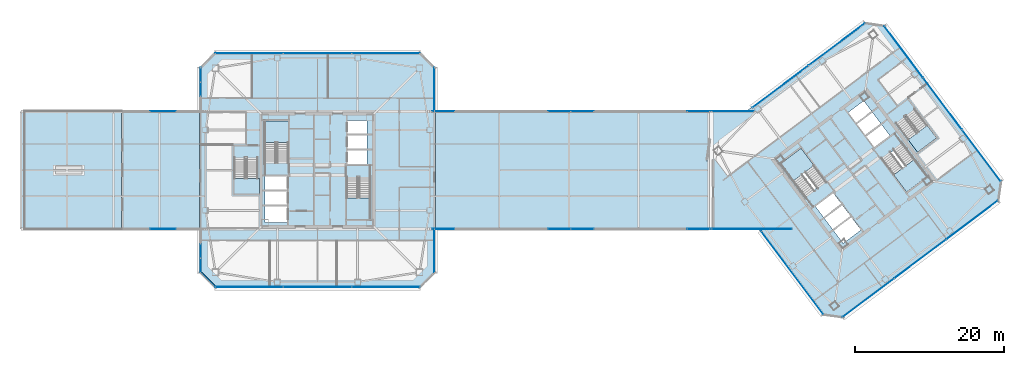
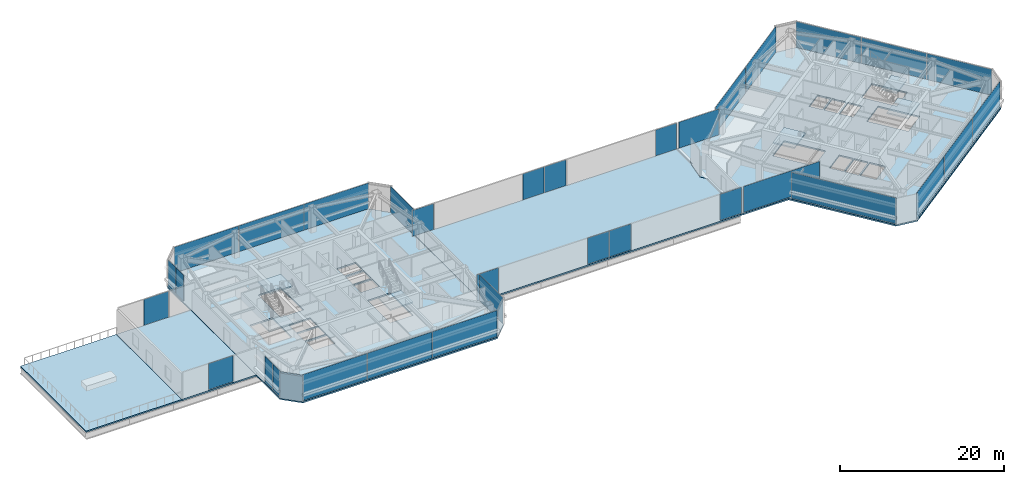
# One storey, part 38 of 51: 33 plates, 11 slabs, 1 wall, 26 elements without a shape of their own.
"""IFC4 building model written with IfcOpenShell, lengths in metres."""

from ifc_helpers import new_model, si_unit, direction, frame, frame_2d, origin, origin_2d, place, context, subcontext, project, spatial, polyline, rectangle, outline, extrude, material, layer, layer_set, type_object, element, aggregate, save


model = new_model("IFC4")

# Units and contexts
model_context = context("Model", 3, precision=1e-05, world=origin(), true_north=direction((0.0, 1.0)))
body_context = subcontext(model_context, "Body", "Model", "MODEL_VIEW")
ifc_project = project(units=[si_unit("LENGTHUNIT", "METRE"), si_unit("AREAUNIT", "SQUARE_METRE"), si_unit("VOLUMEUNIT", "CUBIC_METRE"), si_unit("PLANEANGLEUNIT", "RADIAN"), si_unit("MASSUNIT", "GRAM", prefix="KILO")], contexts=[model_context])

# Site, building, storey
site_placement = place(None, origin())
site = spatial("IfcSite", under=ifc_project, at=site_placement, CompositionType="ELEMENT")
building_placement = place(site_placement, origin())
building = spatial("IfcBuilding", under=site, at=building_placement, Name="Tashvorn Skyway Center", CompositionType="ELEMENT")
storey_placement = place(building_placement, frame((0.0, 0.0, 251.39990234375)))
storey = spatial("IfcBuildingStorey", under=building, at=storey_placement, Name="L68", CompositionType="ELEMENT", Elevation=251.39990234375)

# Curtain wall, plates
ifc_material_1 = material(Name="Thermally broken bronze-anodized aluminium 6063-T6", Category="aluminium")
curtain_wall_type = type_object("IfcCurtainWallType", Name="CW-CW-SKY", PredefinedType="NOTDEFINED", material=ifc_material_1)
curtain_wall_1_placement = place(storey_placement, origin())
curtain_wall_1 = element("IfcCurtainWall", 1, at=curtain_wall_1_placement, inside=storey, type_object=curtain_wall_type, Name="Tower 1 L68 South Unitised Curtain Wall", PredefinedType="NOTDEFINED")
ifc_material_2 = material(Name="Low-E solar-control double insulating safety glass", Category="glass")
ifc_layer_1 = layer(ifc_material_2, 0.028076171875)
ifc_layer_set_1 = layer_set([ifc_layer_1], Name="Low-E solar-control double insulating safety glass")
plate_type = type_object("IfcPlateType", Name="CWP-CW-SKY", PredefinedType="CURTAIN_PANEL", material=ifc_layer_set_1)
plate_1_placement = place(storey_placement, frame((51.17041015625, 16.320068359375, 0.06494140625), z_axis=(0.0, 0.0, 1.0), x_axis=(-1.0, 0.0, 0.0)))
plate_1 = element("IfcPlate", 2, at=plate_1_placement, type_object=plate_type, Name="CW-SKY panel 1.1", PredefinedType="CURTAIN_PANEL", context=body_context, shape_type="SweptSolid", body=[
    extrude(rectangle(XDim=9.089111328125, YDim=0.028076171875, at=origin_2d()), origin(), (0.0, 0.0, 1.0), 3.8701171875),
])
plate_2_placement = place(storey_placement, frame((42.0, 16.320068359375, 0.06494140625), z_axis=(0.0, 0.0, 1.0), x_axis=(-1.0, 0.0, 0.0)))
plate_2 = element("IfcPlate", 3, at=plate_2_placement, type_object=plate_type, Name="CW-SKY panel 2.1", PredefinedType="CURTAIN_PANEL", context=body_context, shape_type="SweptSolid", body=[
    extrude(rectangle(XDim=9.12158203125, YDim=0.028076171875, at=origin_2d()), origin(), (0.0, 0.0, 1.0), 3.8701171875),
])
plate_3_placement = place(storey_placement, frame((32.82958984375, 16.320068359375, 0.06494140625), z_axis=(0.0, 0.0, 1.0), x_axis=(-1.0, 0.0, 0.0)))
plate_3 = element("IfcPlate", 4, at=plate_3_placement, type_object=plate_type, Name="CW-SKY panel 3.1", PredefinedType="CURTAIN_PANEL", context=body_context, shape_type="SweptSolid", body=[
    extrude(rectangle(XDim=9.089111328125, YDim=0.028076171875, at=origin_2d()), origin(), (0.0, 0.0, 1.0), 3.8701171875),
])
aggregate(curtain_wall_1, [plate_1, plate_2, plate_3])

curtain_wall_2_placement = place(storey_placement, origin())
curtain_wall_2 = element("IfcCurtainWall", 5, at=curtain_wall_2_placement, inside=storey, type_object=curtain_wall_type, Name="Tower 1 L68 West Curtain Wall A Glazing Group 1", PredefinedType="NOTDEFINED")
plate_4_placement = place(storey_placement, frame((26.320068359375, 19.21630859375, 0.06494140625), z_axis=(0.0, 0.0, 1.0), x_axis=(0.0, 1.0, 0.0)))
plate_4 = element("IfcPlate", 6, at=plate_4_placement, type_object=plate_type, Name="CW-SKY panel 1.1", PredefinedType="CURTAIN_PANEL", context=body_context, shape_type="SweptSolid", body=[
    extrude(rectangle(XDim=1.862548828125, YDim=0.028076171875, at=origin_2d()), origin(), (0.0, 0.0, 1.0), 3.8701171875),
])
plate_5_placement = place(storey_placement, frame((26.320068359375, 21.143798828125, 0.06494140625), z_axis=(0.0, 0.0, 1.0), x_axis=(0.0, 1.0, 0.0)))
plate_5 = element("IfcPlate", 7, at=plate_5_placement, type_object=plate_type, Name="CW-SKY panel 2.1", PredefinedType="CURTAIN_PANEL", context=body_context, shape_type="SweptSolid", body=[
    extrude(rectangle(XDim=1.862548828125, YDim=0.028076171875, at=origin_2d()), origin(), (0.0, 0.0, 1.0), 3.8701171875),
])
aggregate(curtain_wall_2, [plate_4, plate_5])

curtain_wall_3_placement = place(storey_placement, origin())
curtain_wall_3 = element("IfcCurtainWall", 8, at=curtain_wall_3_placement, inside=storey, type_object=curtain_wall_type, Name="Tower 1 L68 West Curtain Wall B Glazing Group 1", PredefinedType="NOTDEFINED")
plate_6_placement = place(storey_placement, frame((26.320068359375, 42.856201171875, 0.06494140625), z_axis=(0.0, 0.0, 1.0), x_axis=(0.0, 1.0, 0.0)))
plate_6 = element("IfcPlate", 9, at=plate_6_placement, type_object=plate_type, Name="CW-SKY panel 1.1", PredefinedType="CURTAIN_PANEL", context=body_context, shape_type="SweptSolid", body=[
    extrude(rectangle(XDim=1.862548828125, YDim=0.028076171875, at=origin_2d()), origin(), (0.0, 0.0, 1.0), 3.8701171875),
])
plate_7_placement = place(storey_placement, frame((26.320068359375, 44.78369140625, 0.06494140625), z_axis=(0.0, 0.0, 1.0), x_axis=(0.0, 1.0, 0.0)))
plate_7 = element("IfcPlate", 10, at=plate_7_placement, type_object=plate_type, Name="CW-SKY panel 2.1", PredefinedType="CURTAIN_PANEL", context=body_context, shape_type="SweptSolid", body=[
    extrude(rectangle(XDim=1.862548828125, YDim=0.028076171875, at=origin_2d()), origin(), (0.0, 0.0, 1.0), 3.8701171875),
])
aggregate(curtain_wall_3, [plate_6, plate_7])

curtain_wall_4_placement = place(storey_placement, origin())
curtain_wall_4 = element("IfcCurtainWall", 11, at=curtain_wall_4_placement, inside=storey, type_object=curtain_wall_type, Name="Tower 1 L68 North Unitised Curtain Wall", PredefinedType="NOTDEFINED")
plate_8_placement = place(storey_placement, frame((32.82958984375, 47.679931640625, 0.06494140625), z_axis=(0.0, 0.0, 1.0), x_axis=(1.0, 0.0, 0.0)))
plate_8 = element("IfcPlate", 12, at=plate_8_placement, type_object=plate_type, Name="CW-SKY panel 1.1", PredefinedType="CURTAIN_PANEL", context=body_context, shape_type="SweptSolid", body=[
    extrude(rectangle(XDim=9.089111328125, YDim=0.028076171875, at=origin_2d()), origin(), (0.0, 0.0, 1.0), 3.8701171875),
])
plate_9_placement = place(storey_placement, frame((42.0, 47.679931640625, 0.06494140625), z_axis=(0.0, 0.0, 1.0), x_axis=(1.0, 0.0, 0.0)))
plate_9 = element("IfcPlate", 13, at=plate_9_placement, type_object=plate_type, Name="CW-SKY panel 2.1", PredefinedType="CURTAIN_PANEL", context=body_context, shape_type="SweptSolid", body=[
    extrude(rectangle(XDim=9.12158203125, YDim=0.028076171875, at=origin_2d()), origin(), (0.0, 0.0, 1.0), 3.8701171875),
])
plate_10_placement = place(storey_placement, frame((51.17041015625, 47.679931640625, 0.06494140625), z_axis=(0.0, 0.0, 1.0), x_axis=(1.0, 0.0, 0.0)))
plate_10 = element("IfcPlate", 14, at=plate_10_placement, type_object=plate_type, Name="CW-SKY panel 3.1", PredefinedType="CURTAIN_PANEL", context=body_context, shape_type="SweptSolid", body=[
    extrude(rectangle(XDim=9.089111328125, YDim=0.028076171875, at=origin_2d()), origin(), (0.0, 0.0, 1.0), 3.8701171875),
])
aggregate(curtain_wall_4, [plate_8, plate_9, plate_10])

# Curtain wall, plate
curtain_wall_5_placement = place(storey_placement, origin())
curtain_wall_5 = element("IfcCurtainWall", 15, at=curtain_wall_5_placement, inside=storey, type_object=curtain_wall_type, Name="Tower 1 L68 East Curtain Wall A", PredefinedType="NOTDEFINED")
plate_11_placement = place(storey_placement, frame((57.679931640625, 42.840087890625, 0.06494140625), z_axis=(0.0, 0.0, 1.0), x_axis=(0.0, -1.0, 0.0)))
plate_11 = element("IfcPlate", 16, at=plate_11_placement, type_object=plate_type, Name="CW-SKY panel 1.1", PredefinedType="CURTAIN_PANEL", context=body_context, shape_type="SweptSolid", body=[
    extrude(rectangle(XDim=5.75, YDim=0.028076171875, at=origin_2d()), origin(), (0.0, 0.0, 1.0), 3.8701171875),
])
aggregate(curtain_wall_5, [plate_11])

curtain_wall_6_placement = place(storey_placement, origin())
curtain_wall_6 = element("IfcCurtainWall", 17, at=curtain_wall_6_placement, inside=storey, type_object=curtain_wall_type, Name="Tower 1 L68 East Curtain Wall B", PredefinedType="NOTDEFINED")
plate_12_placement = place(storey_placement, frame((57.679931640625, 21.159912109375, 0.06494140625), z_axis=(0.0, 0.0, 1.0), x_axis=(0.0, -1.0, 0.0)))
plate_12 = element("IfcPlate", 18, at=plate_12_placement, type_object=plate_type, Name="CW-SKY panel 1.1", PredefinedType="CURTAIN_PANEL", context=body_context, shape_type="SweptSolid", body=[
    extrude(rectangle(XDim=5.75, YDim=0.028076171875, at=origin_2d()), origin(), (0.0, 0.0, 1.0), 3.8701171875),
])
aggregate(curtain_wall_6, [plate_12])

# Curtain wall, plates
curtain_wall_7_placement = place(storey_placement, origin())
curtain_wall_7 = element("IfcCurtainWall", 19, at=curtain_wall_7_placement, inside=storey, type_object=curtain_wall_type, Name="Tower 2 L68 South Unitised Curtain Wall", PredefinedType="NOTDEFINED")
plate_13_placement = place(storey_placement, frame((129.89111328125, 25.318359375, 0.06494140625), z_axis=(0.0, 0.0, 1.0), x_axis=(-0.799999999998, -0.600000000002, 0.0)))
plate_13 = element("IfcPlate", 20, at=plate_13_placement, type_object=plate_type, Name="CW-SKY panel 1.1", PredefinedType="CURTAIN_PANEL", context=body_context, shape_type="SweptSolid", body=[
    extrude(rectangle(XDim=8.62255859375, YDim=0.028076171875, at=origin_2d()), origin(), (0.0, 0.0, 1.0), 3.8701171875),
])
plate_14_placement = place(storey_placement, frame((122.927978515625, 20.095947265625, 0.06494140625), z_axis=(0.0, 0.0, 1.0), x_axis=(-0.799999999998, -0.600000000002, 0.0)))
plate_14 = element("IfcPlate", 21, at=plate_14_placement, type_object=plate_type, Name="CW-SKY panel 2.1", PredefinedType="CURTAIN_PANEL", context=body_context, shape_type="SweptSolid", body=[
    extrude(rectangle(XDim=8.655029296875, YDim=0.028076171875, at=origin_2d()), origin(), (0.0, 0.0, 1.0), 3.8701171875),
])
plate_15_placement = place(storey_placement, frame((115.965087890625, 14.873779296875, 0.06494140625), z_axis=(0.0, 0.0, 1.0), x_axis=(-0.799999999998, -0.600000000002, 0.0)))
plate_15 = element("IfcPlate", 22, at=plate_15_placement, type_object=plate_type, Name="CW-SKY panel 3.1", PredefinedType="CURTAIN_PANEL", context=body_context, shape_type="SweptSolid", body=[
    extrude(rectangle(XDim=8.62255859375, YDim=0.028076171875, at=origin_2d()), origin(), (0.0, 0.0, 1.0), 3.8701171875),
])
aggregate(curtain_wall_7, [plate_13, plate_14, plate_15])

# Curtain wall, plate
curtain_wall_8_placement = place(storey_placement, origin())
curtain_wall_8 = element("IfcCurtainWall", 23, at=curtain_wall_8_placement, inside=storey, type_object=curtain_wall_type, Name="Tower 2 L68 West Curtain Wall A", PredefinedType="NOTDEFINED")
plate_16_placement = place(storey_placement, frame((105.735107421875, 18.219970703125, 0.06494140625), z_axis=(0.0, 0.0, 1.0), x_axis=(-0.600000000002, 0.799999999998, 0.0)))
plate_16 = element("IfcPlate", 24, at=plate_16_placement, type_object=plate_type, Name="CW-SKY panel 1.1", PredefinedType="CURTAIN_PANEL", context=body_context, shape_type="SweptSolid", body=[
    extrude(rectangle(XDim=13.89990234375, YDim=0.028076171875, at=origin_2d()), origin(), (0.0, 0.0, 1.0), 3.8701171875),
])
aggregate(curtain_wall_8, [plate_16])

# Curtain wall, plates
curtain_wall_9_placement = place(storey_placement, origin())
curtain_wall_9 = element("IfcCurtainWall", 25, at=curtain_wall_9_placement, inside=storey, type_object=curtain_wall_type, Name="Tower 2 L68 North Curtain Wall B", PredefinedType="NOTDEFINED")
plate_17_placement = place(storey_placement, frame((104.131103515625, 43.1982421875, 0.06494140625), z_axis=(0.0, 0.0, 1.0), x_axis=(0.799999999998, 0.600000000002, 0.0)))
plate_17 = element("IfcPlate", 26, at=plate_17_placement, type_object=plate_type, Name="CW-SKY panel 1.1", PredefinedType="CURTAIN_PANEL", context=body_context, shape_type="SweptSolid", body=[
    extrude(rectangle(XDim=9.41748046875, YDim=0.028076171875, at=origin_2d()), origin(), (0.0, 0.0, 1.0), 3.8701171875),
])
plate_18_placement = place(storey_placement, frame((111.717041015625, 48.8876953125, 0.06494140625), z_axis=(0.0, 0.0, 1.0), x_axis=(0.799999999998, 0.600000000002, 0.0)))
plate_18 = element("IfcPlate", 27, at=plate_18_placement, type_object=plate_type, Name="CW-SKY panel 2.1", PredefinedType="CURTAIN_PANEL", context=body_context, shape_type="SweptSolid", body=[
    extrude(rectangle(XDim=9.41748046875, YDim=0.028076171875, at=origin_2d()), origin(), (0.0, 0.0, 1.0), 3.8701171875),
])
aggregate(curtain_wall_9, [plate_17, plate_18])

curtain_wall_10_placement = place(storey_placement, origin())
curtain_wall_10 = element("IfcCurtainWall", 28, at=curtain_wall_10_placement, inside=storey, type_object=curtain_wall_type, Name="Tower 2 L68 East Unitised Curtain Wall", PredefinedType="NOTDEFINED")
plate_19_placement = place(storey_placement, frame((120.681640625, 47.89111328125, 0.06494140625), z_axis=(0.0, 0.0, 1.0), x_axis=(0.600000000002, -0.799999999998, 0.0)))
plate_19 = element("IfcPlate", 29, at=plate_19_placement, type_object=plate_type, Name="CW-SKY panel 1.1", PredefinedType="CURTAIN_PANEL", context=body_context, shape_type="SweptSolid", body=[
    extrude(rectangle(XDim=8.62255859375, YDim=0.028076171875, at=origin_2d()), origin(), (0.0, 0.0, 1.0), 3.8701171875),
])
plate_20_placement = place(storey_placement, frame((125.904052734375, 40.927978515625, 0.06494140625), z_axis=(0.0, 0.0, 1.0), x_axis=(0.600000000002, -0.799999999998, 0.0)))
plate_20 = element("IfcPlate", 30, at=plate_20_placement, type_object=plate_type, Name="CW-SKY panel 2.1", PredefinedType="CURTAIN_PANEL", context=body_context, shape_type="SweptSolid", body=[
    extrude(rectangle(XDim=8.655029296875, YDim=0.028076171875, at=origin_2d()), origin(), (0.0, 0.0, 1.0), 3.8701171875),
])
plate_21_placement = place(storey_placement, frame((131.126220703125, 33.965087890625, 0.06494140625), z_axis=(0.0, 0.0, 1.0), x_axis=(0.600000000002, -0.799999999998, 0.0)))
plate_21 = element("IfcPlate", 31, at=plate_21_placement, type_object=plate_type, Name="CW-SKY panel 3.1", PredefinedType="CURTAIN_PANEL", context=body_context, shape_type="SweptSolid", body=[
    extrude(rectangle(XDim=8.62255859375, YDim=0.028076171875, at=origin_2d()), origin(), (0.0, 0.0, 1.0), 3.8701171875),
])
aggregate(curtain_wall_10, [plate_19, plate_20, plate_21])

# Curtain wall, plate
curtain_wall_11_placement = place(storey_placement, origin())
curtain_wall_11 = element("IfcCurtainWall", 32, at=curtain_wall_11_placement, inside=storey, type_object=curtain_wall_type, Name="Sky-Park L68 Bridge South Curtain Wall Glazing Group 1", PredefinedType="NOTDEFINED")
plate_22_placement = place(storey_placement, frame((93.142578125, 24.10009765625, 0.06494140625), z_axis=(0.0, 0.0, 1.0), x_axis=(-1.0, 0.0, 0.0)))
plate_22 = element("IfcPlate", 33, at=plate_22_placement, type_object=plate_type, Name="CW-SKY panel 1.1", PredefinedType="CURTAIN_PANEL", context=body_context, shape_type="SweptSolid", body=[
    extrude(rectangle(XDim=2.985107421875, YDim=0.028076171875, at=origin_2d()), origin(), (0.0, 0.0, 1.0), 3.8701171875),
])
aggregate(curtain_wall_11, [plate_22])

# Curtain wall, plates
curtain_wall_12_placement = place(storey_placement, origin())
curtain_wall_12 = element("IfcCurtainWall", 34, at=curtain_wall_12_placement, inside=storey, type_object=curtain_wall_type, Name="Sky-Park L68 Bridge South Curtain Wall Glazing Group 2", PredefinedType="NOTDEFINED")
plate_23_placement = place(storey_placement, frame((77.55126953125, 24.10009765625, 0.06494140625), z_axis=(0.0, 0.0, 1.0), x_axis=(-1.0, 0.0, 0.0)))
plate_23 = element("IfcPlate", 35, at=plate_23_placement, type_object=plate_type, Name="CW-SKY panel 1.1", PredefinedType="CURTAIN_PANEL", context=body_context, shape_type="SweptSolid", body=[
    extrude(rectangle(XDim=3.017578125, YDim=0.028076171875, at=origin_2d()), origin(), (0.0, 0.0, 1.0), 3.8701171875),
])
plate_24_placement = place(storey_placement, frame((74.46875, 24.10009765625, 0.06494140625), z_axis=(0.0, 0.0, 1.0), x_axis=(-1.0, 0.0, 0.0)))
plate_24 = element("IfcPlate", 36, at=plate_24_placement, type_object=plate_type, Name="CW-SKY panel 2.1", PredefinedType="CURTAIN_PANEL", context=body_context, shape_type="SweptSolid", body=[
    extrude(rectangle(XDim=3.017578125, YDim=0.028076171875, at=origin_2d()), origin(), (0.0, 0.0, 1.0), 3.8701171875),
])
aggregate(curtain_wall_12, [plate_23, plate_24])

# Curtain wall, plate
curtain_wall_13_placement = place(storey_placement, origin())
curtain_wall_13 = element("IfcCurtainWall", 37, at=curtain_wall_13_placement, inside=storey, type_object=curtain_wall_type, Name="Sky-Park L68 Bridge South Curtain Wall Glazing Group 3", PredefinedType="NOTDEFINED")
plate_25_placement = place(storey_placement, frame((58.87744140625, 24.10009765625, 0.06494140625), z_axis=(0.0, 0.0, 1.0), x_axis=(-1.0, 0.0, 0.0)))
plate_25 = element("IfcPlate", 38, at=plate_25_placement, type_object=plate_type, Name="CW-SKY panel 1.1", PredefinedType="CURTAIN_PANEL", context=body_context, shape_type="SweptSolid", body=[
    extrude(rectangle(XDim=2.985107421875, YDim=0.028076171875, at=origin_2d()), origin(), (0.0, 0.0, 1.0), 3.8701171875),
])
aggregate(curtain_wall_13, [plate_25])

curtain_wall_14_placement = place(storey_placement, origin())
curtain_wall_14 = element("IfcCurtainWall", 39, at=curtain_wall_14_placement, inside=storey, type_object=curtain_wall_type, Name="Sky-Park L68 Bridge North Curtain Wall Glazing Group 1", PredefinedType="NOTDEFINED")
plate_26_placement = place(storey_placement, frame((58.87744140625, 39.89990234375, 0.06494140625), z_axis=(0.0, 0.0, 1.0), x_axis=(1.0, 0.0, 0.0)))
plate_26 = element("IfcPlate", 40, at=plate_26_placement, type_object=plate_type, Name="CW-SKY panel 1.1", PredefinedType="CURTAIN_PANEL", context=body_context, shape_type="SweptSolid", body=[
    extrude(rectangle(XDim=2.985107421875, YDim=0.028076171875, at=origin_2d()), origin(), (0.0, 0.0, 1.0), 3.8701171875),
])
aggregate(curtain_wall_14, [plate_26])

# Curtain wall, plates
curtain_wall_15_placement = place(storey_placement, origin())
curtain_wall_15 = element("IfcCurtainWall", 41, at=curtain_wall_15_placement, inside=storey, type_object=curtain_wall_type, Name="Sky-Park L68 Bridge North Curtain Wall Glazing Group 2", PredefinedType="NOTDEFINED")
plate_27_placement = place(storey_placement, frame((74.46875, 39.89990234375, 0.06494140625), z_axis=(0.0, 0.0, 1.0), x_axis=(1.0, 0.0, 0.0)))
plate_27 = element("IfcPlate", 42, at=plate_27_placement, type_object=plate_type, Name="CW-SKY panel 1.1", PredefinedType="CURTAIN_PANEL", context=body_context, shape_type="SweptSolid", body=[
    extrude(rectangle(XDim=3.017578125, YDim=0.028076171875, at=origin_2d()), origin(), (0.0, 0.0, 1.0), 3.8701171875),
])
plate_28_placement = place(storey_placement, frame((77.55126953125, 39.89990234375, 0.06494140625), z_axis=(0.0, 0.0, 1.0), x_axis=(1.0, 0.0, 0.0)))
plate_28 = element("IfcPlate", 43, at=plate_28_placement, type_object=plate_type, Name="CW-SKY panel 2.1", PredefinedType="CURTAIN_PANEL", context=body_context, shape_type="SweptSolid", body=[
    extrude(rectangle(XDim=3.017578125, YDim=0.028076171875, at=origin_2d()), origin(), (0.0, 0.0, 1.0), 3.8701171875),
])
aggregate(curtain_wall_15, [plate_27, plate_28])

# Curtain wall, plate
curtain_wall_16_placement = place(storey_placement, origin())
curtain_wall_16 = element("IfcCurtainWall", 44, at=curtain_wall_16_placement, inside=storey, type_object=curtain_wall_type, Name="Sky-Park L68 Bridge North Curtain Wall Glazing Group 3", PredefinedType="NOTDEFINED")
plate_29_placement = place(storey_placement, frame((93.142578125, 39.89990234375, 0.06494140625), z_axis=(0.0, 0.0, 1.0), x_axis=(1.0, 0.0, 0.0)))
plate_29 = element("IfcPlate", 45, at=plate_29_placement, type_object=plate_type, Name="CW-SKY panel 1.1", PredefinedType="CURTAIN_PANEL", context=body_context, shape_type="SweptSolid", body=[
    extrude(rectangle(XDim=2.985107421875, YDim=0.028076171875, at=origin_2d()), origin(), (0.0, 0.0, 1.0), 3.8701171875),
])
aggregate(curtain_wall_16, [plate_29])

curtain_wall_17_placement = place(storey_placement, origin())
curtain_wall_17 = element("IfcCurtainWall", 46, at=curtain_wall_17_placement, inside=storey, type_object=curtain_wall_type, Name="Tower 2 L68 Vestibule South Curtain Wall", PredefinedType="NOTDEFINED")
plate_30_placement = place(storey_placement, frame((100.31494140625, 24.10009765625, 0.06494140625), z_axis=(0.0, 0.0, 1.0), x_axis=(-1.0, 0.0, 0.0)))
plate_30 = element("IfcPlate", 47, at=plate_30_placement, type_object=plate_type, Name="CW-SKY panel 1.1", PredefinedType="CURTAIN_PANEL", context=body_context, shape_type="SweptSolid", body=[
    extrude(rectangle(XDim=10.739990234375, YDim=0.028076171875, at=origin_2d()), origin(), (0.0, 0.0, 1.0), 3.8701171875),
])
aggregate(curtain_wall_17, [plate_30])

curtain_wall_18_placement = place(storey_placement, origin())
curtain_wall_18 = element("IfcCurtainWall", 48, at=curtain_wall_18_placement, inside=storey, type_object=curtain_wall_type, Name="Tower 2 L68 Vestibule North Curtain Wall", PredefinedType="NOTDEFINED")
plate_31_placement = place(storey_placement, frame((97.764892578125, 39.89990234375, 0.06494140625), z_axis=(0.0, 0.0, 1.0), x_axis=(1.0, 0.0, 0.0)))
plate_31 = element("IfcPlate", 49, at=plate_31_placement, type_object=plate_type, Name="CW-SKY panel 1.1", PredefinedType="CURTAIN_PANEL", context=body_context, shape_type="SweptSolid", body=[
    extrude(rectangle(XDim=5.639892578125, YDim=0.028076171875, at=origin_2d()), origin(), (0.0, 0.0, 1.0), 3.8701171875),
])
aggregate(curtain_wall_18, [plate_31])

curtain_wall_19_placement = place(storey_placement, origin())
curtain_wall_19 = element("IfcCurtainWall", 50, at=curtain_wall_19_placement, inside=storey, type_object=curtain_wall_type, Name="Sky-Park L68 Cantilever Gallery South Curtain Wall Glazing Group 1", PredefinedType="NOTDEFINED")
plate_32_placement = place(storey_placement, frame((21.260009765625, 24.10009765625, 0.06494140625), z_axis=(0.0, 0.0, 1.0), x_axis=(-1.0, 0.0, 0.0)))
plate_32 = element("IfcPlate", 51, at=plate_32_placement, type_object=plate_type, Name="CW-SKY panel 1.1", PredefinedType="CURTAIN_PANEL", context=body_context, shape_type="SweptSolid", body=[
    extrude(rectangle(XDim=3.4833984375, YDim=0.028076171875, at=origin_2d()), origin(), (0.0, 0.0, 1.0), 3.8701171875),
])
aggregate(curtain_wall_19, [plate_32])

curtain_wall_20_placement = place(storey_placement, origin())
curtain_wall_20 = element("IfcCurtainWall", 52, at=curtain_wall_20_placement, inside=storey, type_object=curtain_wall_type, Name="Sky-Park L68 Cantilever Gallery North Curtain Wall Glazing Group 1", PredefinedType="NOTDEFINED")
plate_33_placement = place(storey_placement, frame((21.260009765625, 39.89990234375, 0.06494140625), z_axis=(0.0, 0.0, 1.0), x_axis=(1.0, 0.0, 0.0)))
plate_33 = element("IfcPlate", 53, at=plate_33_placement, type_object=plate_type, Name="CW-SKY panel 1.1", PredefinedType="CURTAIN_PANEL", context=body_context, shape_type="SweptSolid", body=[
    extrude(rectangle(XDim=3.4833984375, YDim=0.028076171875, at=origin_2d()), origin(), (0.0, 0.0, 1.0), 3.8701171875),
])
aggregate(curtain_wall_20, [plate_33])

# Slabs
ifc_material_3 = material(Name="Concrete C40/50", Category="concrete")
ifc_layer_2 = layer(ifc_material_3, 0.219970703125)
ifc_layer_set_2 = layer_set([ifc_layer_2], Name="Concrete C40/50")
slab_type_1 = type_object("IfcSlabType", Name="SLAB-FLR-220", PredefinedType="FLOOR", material=ifc_layer_set_2)
slab_1_placement = place(storey_placement, frame((0.0, 0.0, -0.219970703125)))
element("IfcSlab", 54, at=slab_1_placement, inside=storey, type_object=slab_type_1, Name="Tower 1 L68 Composite Floor Slab", PredefinedType="FLOOR", context=body_context, shape_type="SweptSolid", body=[
    extrude(outline(polyline([(28.300048828125, 16.199951171875), (55.699951171875, 16.199951171875), (57.800048828125, 18.300048828125), (57.800048828125, 45.699951171875), (55.699951171875, 47.800048828125), (28.300048828125, 47.800048828125), (26.199951171875, 45.699951171875), (26.199951171875, 18.300048828125), (28.300048828125, 16.199951171875)]), holes=[polyline([(38.10009765625, 33.080078125), (38.10009765625, 38.60009765625), (34.89990234375, 38.60009765625), (34.89990234375, 33.080078125), (38.10009765625, 33.080078125)]), polyline([(45.89990234375, 30.919921875), (45.89990234375, 25.39990234375), (49.10009765625, 25.39990234375), (49.10009765625, 30.919921875), (45.89990234375, 30.919921875)]), polyline([(30.800048828125, 33.52001953125), (30.800048828125, 28.800048828125), (34.0, 28.800048828125), (34.0, 33.52001953125), (30.800048828125, 33.52001953125)]), polyline([(34.949951171875, 29.35009765625), (37.949951171875, 29.35009765625), (37.949951171875, 31.199951171875), (34.949951171875, 31.199951171875), (34.949951171875, 29.35009765625)]), polyline([(34.949951171875, 27.35009765625), (37.949951171875, 27.35009765625), (37.949951171875, 29.199951171875), (34.949951171875, 29.199951171875), (34.949951171875, 27.35009765625)]), polyline([(34.949951171875, 25.0), (37.949951171875, 25.0), (37.949951171875, 27.14990234375), (34.949951171875, 27.14990234375), (34.949951171875, 25.0)]), polyline([(46.050048828125, 32.800048828125), (48.64990234375, 32.800048828125), (48.64990234375, 34.64990234375), (46.050048828125, 34.64990234375), (46.050048828125, 32.800048828125)]), polyline([(46.050048828125, 34.85009765625), (48.64990234375, 34.85009765625), (48.64990234375, 36.699951171875), (46.050048828125, 36.699951171875), (46.050048828125, 34.85009765625)]), polyline([(46.050048828125, 36.89990234375), (48.64990234375, 36.89990234375), (48.64990234375, 38.64990234375), (46.050048828125, 38.64990234375), (46.050048828125, 36.89990234375)])]), origin(), (0.0, 0.0, 1.0), 0.219970703125),
])
slab_2_placement = place(storey_placement, frame((0.0, 0.0, -0.219970703125)))
element("IfcSlab", 55, at=slab_2_placement, inside=storey, type_object=slab_type_1, Name="Tower 2 L68 Composite Floor Slab", PredefinedType="FLOOR", context=body_context, shape_type="SweptSolid", body=[
    extrude(outline(polyline([(115.39990234375, 51.800048828125), (118.199951171875, 51.39990234375), (133.800048828125, 30.60009765625), (133.39990234375, 27.800048828125), (112.60009765625, 12.199951171875), (109.800048828125, 12.60009765625), (101.25, 24.0), (94.820068359375, 24.0), (94.820068359375, 32.5732421875), (94.199951171875, 33.39990234375), (94.60009765625, 36.199951171875), (94.820068359375, 36.364990234375), (94.820068359375, 40.0), (99.666748046875, 40.0), (115.39990234375, 51.800048828125)]), holes=[polyline([(110.23193359375, 30.52392578125), (106.919921875, 34.93994140625), (104.135986328125, 32.85205078125), (107.447998046875, 28.43603515625), (110.23193359375, 30.52392578125)]), polyline([(117.76806640625, 33.47607421875), (121.080078125, 29.06005859375), (123.864013671875, 31.14794921875), (120.552001953125, 35.56396484375), (117.76806640625, 33.47607421875)]), polyline([(119.7119140625, 38.18408203125), (122.5439453125, 34.407958984375), (125.10400390625, 36.327880859375), (122.27197265625, 40.10400390625), (119.7119140625, 38.18408203125)]), polyline([(109.949951171875, 25.64990234375), (112.35009765625, 27.449951171875), (111.239990234375, 28.929931640625), (108.840087890625, 27.1298828125), (109.949951171875, 25.64990234375)]), polyline([(111.14990234375, 24.050048828125), (113.550048828125, 25.85009765625), (112.43994140625, 27.330078125), (110.0400390625, 25.530029296875), (111.14990234375, 24.050048828125)]), polyline([(112.56005859375, 22.169921875), (114.9599609375, 23.969970703125), (113.669921875, 25.68994140625), (111.27001953125, 23.889892578125), (112.56005859375, 22.169921875)]), polyline([(116.760009765625, 35.070068359375), (118.840087890625, 36.6298828125), (117.72998046875, 38.110107421875), (115.64990234375, 36.550048828125), (116.760009765625, 35.070068359375)]), polyline([(115.530029296875, 36.7099609375), (117.610107421875, 38.27001953125), (116.5, 39.75), (114.419921875, 38.18994140625), (115.530029296875, 36.7099609375)]), polyline([(114.300048828125, 38.35009765625), (116.3798828125, 39.909912109375), (115.330078125, 41.31005859375), (113.25, 39.75), (114.300048828125, 38.35009765625)])]), origin(), (0.0, 0.0, 1.0), 0.219970703125),
])
slab_3_placement = place(storey_placement, frame((0.0, 0.0, -0.219970703125)))
element("IfcSlab", 56, at=slab_3_placement, inside=storey, type_object=slab_type_1, Name="Sky-Park L68 Inter-Tower Bridge Floor Slab", PredefinedType="FLOOR", context=body_context, shape_type="SweptSolid", body=[
    extrude(outline(polyline([(94.679931640625, 24.0), (57.820068359375, 24.0), (57.820068359375, 40.0), (94.679931640625, 40.0), (94.679931640625, 36.297607421875), (94.58203125, 36.22412109375), (94.579833984375, 36.22216796875), (94.57763671875, 36.219970703125), (94.575927734375, 36.2177734375), (94.57421875, 36.21533203125), (94.57275390625, 36.212646484375), (94.57177734375, 36.2099609375), (94.57080078125, 36.20703125), (94.5703125, 36.204345703125), (94.17041015625, 33.404296875), (94.169921875, 33.4013671875), (94.170166015625, 33.3984375), (94.17041015625, 33.3955078125), (94.1708984375, 33.392578125), (94.171875, 33.3896484375), (94.1728515625, 33.386962890625), (94.17431640625, 33.384521484375), (94.176025390625, 33.382080078125), (94.679931640625, 32.7099609375), (94.679931640625, 24.0)])), origin(), (0.0, 0.0, 1.0), 0.219970703125),
])
slab_4_placement = place(storey_placement, frame((0.0, 0.0, -0.219970703125)))
element("IfcSlab", 57, at=slab_4_placement, inside=storey, type_object=slab_type_1, Name="Sky-Park L68 West Cantilever Gallery Slab", PredefinedType="FLOOR", context=body_context, shape_type="SweptSolid", body=[
    extrude(outline(polyline([(15.7099609375, 24.0), (26.179931640625, 24.0), (26.179931640625, 40.0), (15.7099609375, 40.0), (15.7099609375, 24.0)])), origin(), (0.0, 0.0, 1.0), 0.219970703125),
])

# Stair, slab
stair_type = type_object("IfcStairType", Name="STAIR-CORE-1500", PredefinedType="HALF_TURN_STAIR", material=ifc_material_3)
stair_1_placement = place(storey_placement, origin())
stair_1 = element("IfcStair", 58, at=stair_1_placement, inside=storey, type_object=stair_type, Name="L68 Tower 1 Exit Stair 1", PredefinedType="HALF_TURN_STAIR")
ifc_layer_3 = layer(ifc_material_3, 0.199951171875)
ifc_layer_set_3 = layer_set([ifc_layer_3], Name="Concrete C40/50")
slab_type_2 = type_object("IfcSlabType", Name="SLAB-LAND-200", PredefinedType="LANDING", material=ifc_layer_set_3)
slab_5_placement = place(storey_placement, frame((0.0, 0.0, 1.800048828125)))
slab_5 = element("IfcSlab", 59, at=slab_5_placement, type_object=slab_type_2, Name="ST-T1-1 landing 1", PredefinedType="LANDING", context=body_context, shape_type="SweptSolid", body=[
    extrude(outline(polyline([(38.10009765625, 35.719970703125), (38.10009765625, 38.60009765625), (34.89990234375, 38.60009765625), (34.89990234375, 35.719970703125), (38.10009765625, 35.719970703125)])), origin(), (0.0, 0.0, 1.0), 0.199951171875),
])
aggregate(stair_1, [slab_5])

stair_2_placement = place(storey_placement, origin())
stair_2 = element("IfcStair", 60, at=stair_2_placement, inside=storey, type_object=stair_type, Name="L68 Tower 1 Exit Stair 2", PredefinedType="HALF_TURN_STAIR")
slab_6_placement = place(storey_placement, frame((0.0, 0.0, 1.800048828125)))
slab_6 = element("IfcSlab", 61, at=slab_6_placement, type_object=slab_type_2, Name="ST-T1-2 landing 1", PredefinedType="LANDING", context=body_context, shape_type="SweptSolid", body=[
    extrude(outline(polyline([(45.89990234375, 28.280029296875), (45.89990234375, 25.39990234375), (49.10009765625, 25.39990234375), (49.10009765625, 28.280029296875), (45.89990234375, 28.280029296875)])), origin(), (0.0, 0.0, 1.0), 0.199951171875),
])
aggregate(stair_2, [slab_6])

stair_3_placement = place(storey_placement, origin())
stair_3 = element("IfcStair", 62, at=stair_3_placement, inside=storey, type_object=stair_type, Name="L68 Tower 2 Exit Stair 1", PredefinedType="HALF_TURN_STAIR")
slab_7_placement = place(storey_placement, frame((0.0, 0.0, 1.800048828125)))
slab_7 = element("IfcSlab", 63, at=slab_7_placement, type_object=slab_type_2, Name="ST-T2-1 landing 1", PredefinedType="LANDING", context=body_context, shape_type="SweptSolid", body=[
    extrude(outline(polyline([(108.65283203125, 32.629638671875), (106.919921875, 34.93994140625), (104.135986328125, 32.85205078125), (105.868896484375, 30.54150390625), (108.65283203125, 32.629638671875)])), origin(), (0.0, 0.0, 1.0), 0.199951171875),
])
aggregate(stair_3, [slab_7])

stair_4_placement = place(storey_placement, origin())
stair_4 = element("IfcStair", 64, at=stair_4_placement, inside=storey, type_object=stair_type, Name="L68 Tower 2 Exit Stair 2", PredefinedType="HALF_TURN_STAIR")
slab_8_placement = place(storey_placement, frame((0.0, 0.0, 1.800048828125)))
slab_8 = element("IfcSlab", 65, at=slab_8_placement, type_object=slab_type_2, Name="ST-T2-2 landing 1", PredefinedType="LANDING", context=body_context, shape_type="SweptSolid", body=[
    extrude(outline(polyline([(119.34716796875, 31.370361328125), (121.080078125, 29.06005859375), (123.864013671875, 31.14794921875), (122.131103515625, 33.45849609375), (119.34716796875, 31.370361328125)])), origin(), (0.0, 0.0, 1.0), 0.199951171875),
])
aggregate(stair_4, [slab_8])

stair_5_placement = place(storey_placement, origin())
stair_5 = element("IfcStair", 66, at=stair_5_placement, inside=storey, type_object=stair_type, Name="L68 Tower 1 Exit Stair 3", PredefinedType="HALF_TURN_STAIR")
slab_9_placement = place(storey_placement, frame((0.0, 0.0, 1.800048828125)))
slab_9 = element("IfcSlab", 67, at=slab_9_placement, type_object=slab_type_2, Name="ST-T1-3 landing 1", PredefinedType="LANDING", context=body_context, shape_type="SweptSolid", body=[
    extrude(outline(polyline([(30.800048828125, 30.8798828125), (30.800048828125, 28.800048828125), (34.199951171875, 28.800048828125), (34.199951171875, 30.8798828125), (30.800048828125, 30.8798828125)])), origin(), (0.0, 0.0, 1.0), 0.199951171875),
])
aggregate(stair_5, [slab_9])

stair_6_placement = place(storey_placement, origin())
stair_6 = element("IfcStair", 68, at=stair_6_placement, inside=storey, type_object=stair_type, Name="L68 Tower 2 Exit Stair 3", PredefinedType="HALF_TURN_STAIR")
slab_10_placement = place(storey_placement, frame((0.0, 0.0, 1.800048828125)))
slab_10 = element("IfcSlab", 69, at=slab_10_placement, type_object=slab_type_2, Name="ST-T2-3 landing 1", PredefinedType="LANDING", context=body_context, shape_type="SweptSolid", body=[
    extrude(outline(polyline([(121.291259765625, 36.078369140625), (122.5439453125, 34.407958984375), (125.10400390625, 36.327880859375), (123.851318359375, 37.998291015625), (121.291259765625, 36.078369140625)])), origin(), (0.0, 0.0, 1.0), 0.199951171875),
])
aggregate(stair_6, [slab_10])

# Slab
ifc_layer_4 = layer(ifc_material_3, 0.179931640625)
ifc_layer_set_4 = layer_set([ifc_layer_4], Name="Concrete C40/50")
slab_type_3 = type_object("IfcSlabType", Name="SLAB-TERR-200", PredefinedType="FLOOR", material=ifc_layer_set_4)
slab_11_placement = place(storey_placement, frame((0.0, 0.0, -0.199951171875)))
element("IfcSlab", 70, at=slab_11_placement, inside=storey, type_object=slab_type_3, Name="Sky-Park L68 Planted Sky-Garden Cantilever Deck", PredefinedType="FLOOR", context=body_context, shape_type="SweptSolid", body=[
    extrude(outline(polyline([(2.199951171875, 24.0), (15.699951171875, 24.0), (15.699951171875, 40.0), (2.199951171875, 40.0), (2.199951171875, 24.0)])), origin(), (0.0, 0.0, 1.0), 0.199951171875),
])

# Wall
ifc_material_4 = material(Name="Precast concrete C40/50", Category="concrete")
ifc_layer_5 = layer(ifc_material_4, 0.280029296875)
ifc_layer_set_5 = layer_set([ifc_layer_5], Name="Precast concrete C40/50")
wall_type = type_object("IfcWallType", Name="WALL-EXT-280", PredefinedType="SOLIDWALL", material=ifc_layer_set_5)
wall_placement = place(storey_placement, frame((28.300048828125, 16.300048828125, 0.0), z_axis=(0.0, 0.0, 1.0), x_axis=(-0.707106781187, 0.707106781187, 0.0)))
element("IfcWall", 71, at=wall_placement, inside=storey, type_object=wall_type, Name="Tower 1 L68 SW Precast Chamfer Wall", PredefinedType="SOLIDWALL", context=body_context, shape_type="SweptSolid", body=[
    extrude(rectangle(XDim=2.828369140625, YDim=0.280029296875, at=frame_2d((1.4140625, 0.0))), origin(), (0.0, 0.0, 1.0), 3.780029296875),
])

save(model, "model.ifc")
